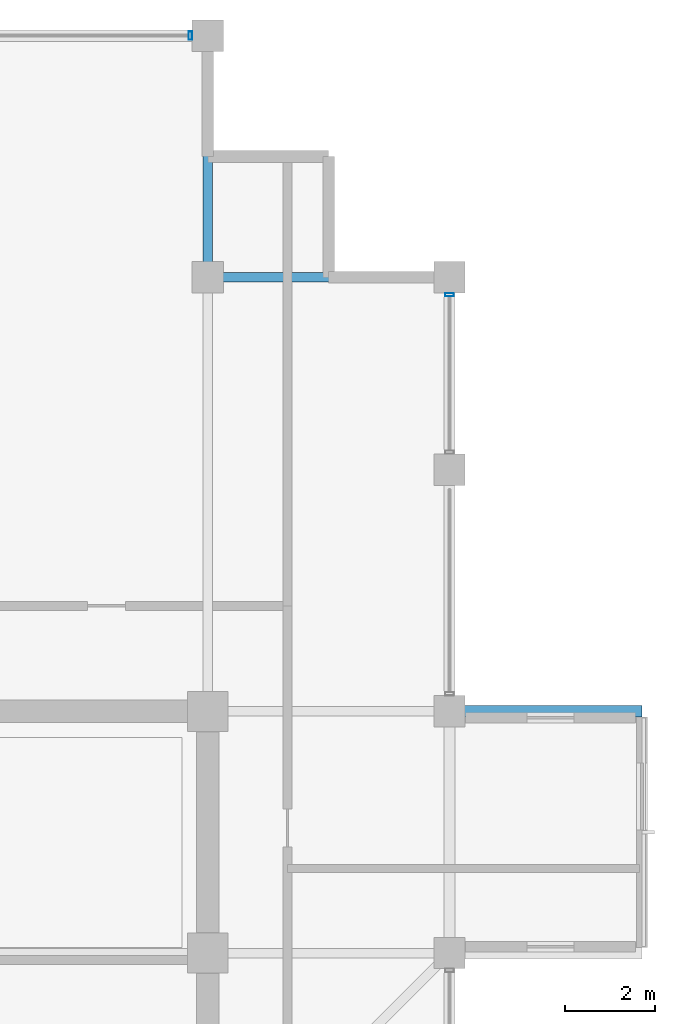
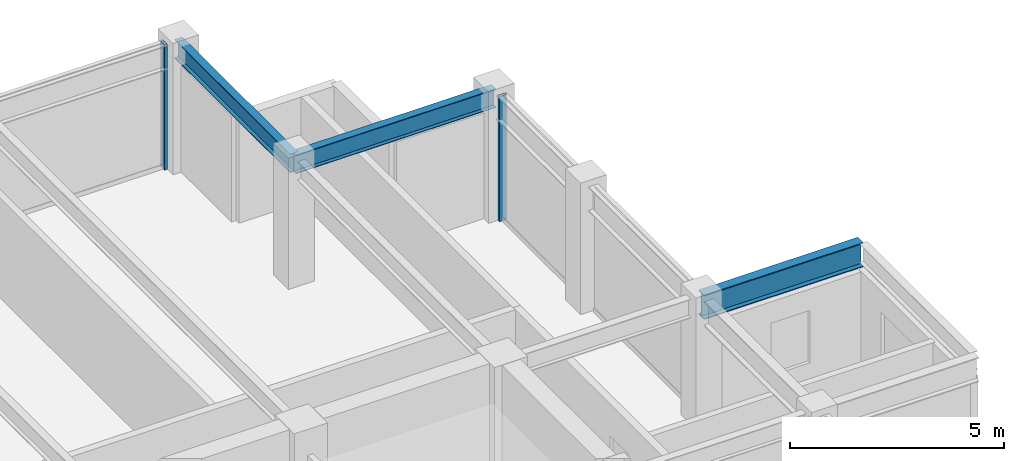
# One storey, part 21 of 31: 3 beams, 2 members, 2 elements without a shape of their own.
"""IFC4 building model written with IfcOpenShell, lengths in metres."""

from ifc_helpers import new_model, si_unit, direction, frame, origin, origin_2d, place, context, subcontext, project, spatial, hollow_rectangle, i_section, extrude, material, layer, layer_set, material_profile, profile_set, type_object, element, aggregate, save


model = new_model("IFC4")

# Units and contexts
model_context = context("Model", 3, precision=1e-05, world=origin(), true_north=direction((0.0, 1.0)))
body_context = subcontext(model_context, "Body", "Model", "MODEL_VIEW")
ifc_project = project(units=[si_unit("LENGTHUNIT", "METRE"), si_unit("AREAUNIT", "SQUARE_METRE"), si_unit("VOLUMEUNIT", "CUBIC_METRE"), si_unit("PLANEANGLEUNIT", "RADIAN"), si_unit("MASSUNIT", "GRAM", prefix="KILO")], contexts=[model_context])

# Site, building, storey
site_placement = place(None, origin())
site = spatial("IfcSite", under=ifc_project, at=site_placement, CompositionType="ELEMENT")
building_placement = place(site_placement, origin())
building = spatial("IfcBuilding", under=site, at=building_placement, Name="Surkhivell Harbour Commons", CompositionType="ELEMENT")
storey_placement = place(building_placement, frame((0.0, 0.0, 262.5)))
storey = spatial("IfcBuildingStorey", under=building, at=storey_placement, Name="L68", CompositionType="ELEMENT", Elevation=262.5)

# Beams
ifc_material_1 = material(Name="Steel S460", Category="steel")
ifc_material_profile_1 = material_profile(ifc_material_1, i_section(OverallWidth=0.256103515625, OverallDepth=0.693115234375, WebThickness=0.014404296875, FlangeThickness=0.023681640625, at=origin_2d()), Name="UB686x254x170")
ifc_profile_set_1 = profile_set([ifc_material_profile_1], Name="Steel S460")
beam_type_1 = type_object("IfcBeamType", Name="BM-CNT-686", PredefinedType="BEAM", material=ifc_profile_set_1)
beam_placement = place(storey_placement, frame((16.199951171875, 10.800048828125, 3.223388671875), z_axis=(1.0, 0.0, 0.0), x_axis=(0.0, 1.0, 0.0)))
element("IfcBeam", 1, at=beam_placement, inside=storey, type_object=beam_type_1, Name="L68 Box Cantilever Outrigger (16.2,10.8)", PredefinedType="BEAM", context=body_context, shape_type="SweptSolid", body=[
    extrude(i_section(OverallWidth=0.256103515625, OverallDepth=0.693115234375, WebThickness=0.014404296875, FlangeThickness=0.023681640625, at=origin_2d()), origin(), (0.0, 0.0, 1.0), 4.300048828125),
])
ifc_material_2 = material(Name="Steel S355", Category="steel")
ifc_material_profile_2 = material_profile(ifc_material_2, i_section(OverallWidth=0.2099609375, OverallDepth=0.537109375, WebThickness=0.0107421875, FlangeThickness=0.017333984375, at=origin_2d()), Name="UB533x210x101")
ifc_profile_set_2 = profile_set([ifc_material_profile_2], Name="Steel S355")
beam_type_2 = type_object("IfcBeamType", Name="BM-GRD-533B", PredefinedType="BEAM", material=ifc_profile_set_2)
for number, where, z_axis, x_axis, name in (
    (2, (10.800048828125, 20.5, 3.301513671875), (0.0, 1.0, 0.0), (-1.0, 0.0, 0.0), "L68 Floor Girder (10.8,20.5)"),
    (3, (10.800048828125, 20.5, 3.301513671875), (1.0, 0.0, 0.0), (0.0, 1.0, 0.0), "L68 Floor Girder (10.8,20.5)"),
):
    element("IfcBeam", number, at=place(storey_placement, frame(where, z_axis=z_axis, x_axis=x_axis)), inside=storey, type_object=beam_type_2, Name=name, PredefinedType="BEAM", context=body_context, shape_type="SweptSolid", body=[
        extrude(i_section(OverallWidth=0.2099609375, OverallDepth=0.537109375, WebThickness=0.0107421875, FlangeThickness=0.017333984375, at=origin_2d()), origin(), (0.0, 0.0, 1.0), 5.39990234375),
    ])

# Curtain wall, member
ifc_material_3 = material(Name="Anodised pale-metal aluminium and insulated glazing", Category="aluminium")
ifc_layer = layer(ifc_material_3, 0.175048828125)
ifc_layer_set = layer_set([ifc_layer], Name="Anodised pale-metal aluminium and insulated glazing")
curtain_wall_type = type_object("IfcCurtainWallType", Name="CW-SYS-Z4", PredefinedType="NOTDEFINED", material=ifc_layer_set)
curtain_wall_1_placement = place(storey_placement, origin())
curtain_wall_1 = element("IfcCurtainWall", 4, at=curtain_wall_1_placement, inside=storey, type_object=curtain_wall_type, Name="L68 Curtain Wall CW-L68-E02R2", PredefinedType="NOTDEFINED")
ifc_material_4 = material(Name="Anodised pale-metal aluminium alloy 6063-T6", Category="aluminium")
ifc_material_profile_3 = material_profile(ifc_material_4, hollow_rectangle(XDim=0.074951171875, YDim=0.18994140625, WallThickness=0.00390625, at=origin_2d()), Name="ALU-MULL-75x190")
ifc_profile_set_3 = profile_set([ifc_material_profile_3], Name="Anodised pale-metal aluminium alloy 6063-T6")
member_type = type_object("IfcMemberType", Name="CWM-190", PredefinedType="MULLION", material=ifc_profile_set_3)
member_1_placement = place(storey_placement, frame((16.199951171875, 20.110595703125, 0.0), z_axis=(0.0, 0.0, 1.0), x_axis=(0.0, 1.0, 0.0)))
member_1 = element("IfcMember", 5, at=member_1_placement, type_object=member_type, Name="CW-Z4 mullion 3", PredefinedType="MULLION", context=body_context, shape_type="SweptSolid", body=[
    extrude(hollow_rectangle(XDim=0.074951171875, YDim=0.18994140625, WallThickness=0.00390625, at=origin_2d()), origin(), (0.0, 0.0, 1.0), 3.570068359375),
])
aggregate(curtain_wall_1, [member_1])

curtain_wall_2_placement = place(storey_placement, origin())
curtain_wall_2 = element("IfcCurtainWall", 6, at=curtain_wall_2_placement, inside=storey, type_object=curtain_wall_type, Name="L68 Curtain Wall CW-L68-E07S1", PredefinedType="NOTDEFINED")
member_2_placement = place(storey_placement, frame((10.410400390625, 25.89990234375, 0.0), z_axis=(0.0, 0.0, 1.0), x_axis=(-1.0, 0.0, 0.0)))
member_2 = element("IfcMember", 7, at=member_2_placement, type_object=member_type, Name="CW-Z4 mullion 1", PredefinedType="MULLION", context=body_context, shape_type="SweptSolid", body=[
    extrude(hollow_rectangle(XDim=0.074951171875, YDim=0.18994140625, WallThickness=0.00390625, at=origin_2d()), origin(), (0.0, 0.0, 1.0), 3.570068359375),
])
aggregate(curtain_wall_2, [member_2])

save(model, "model.ifc")
